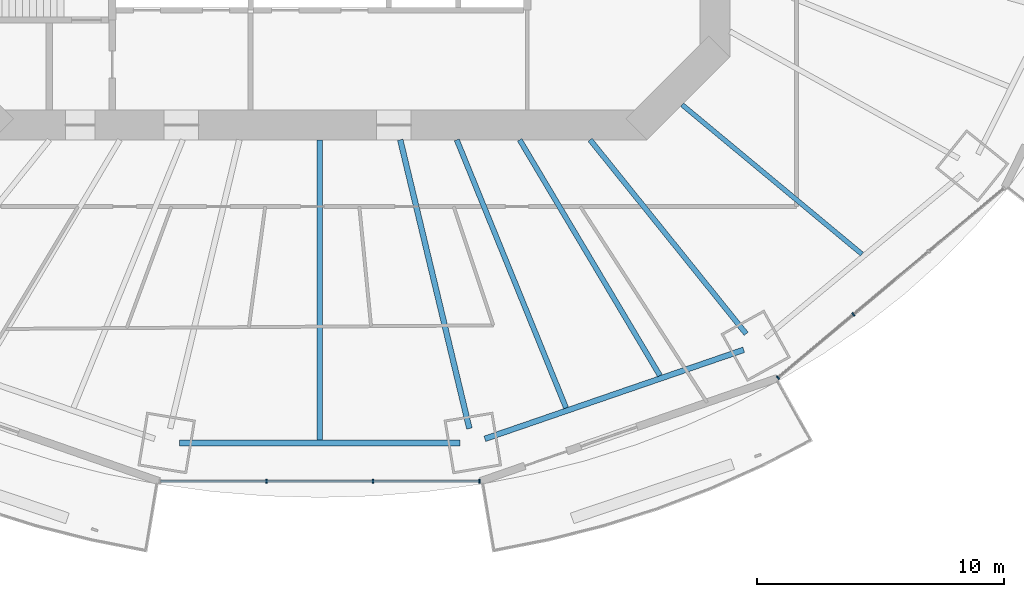
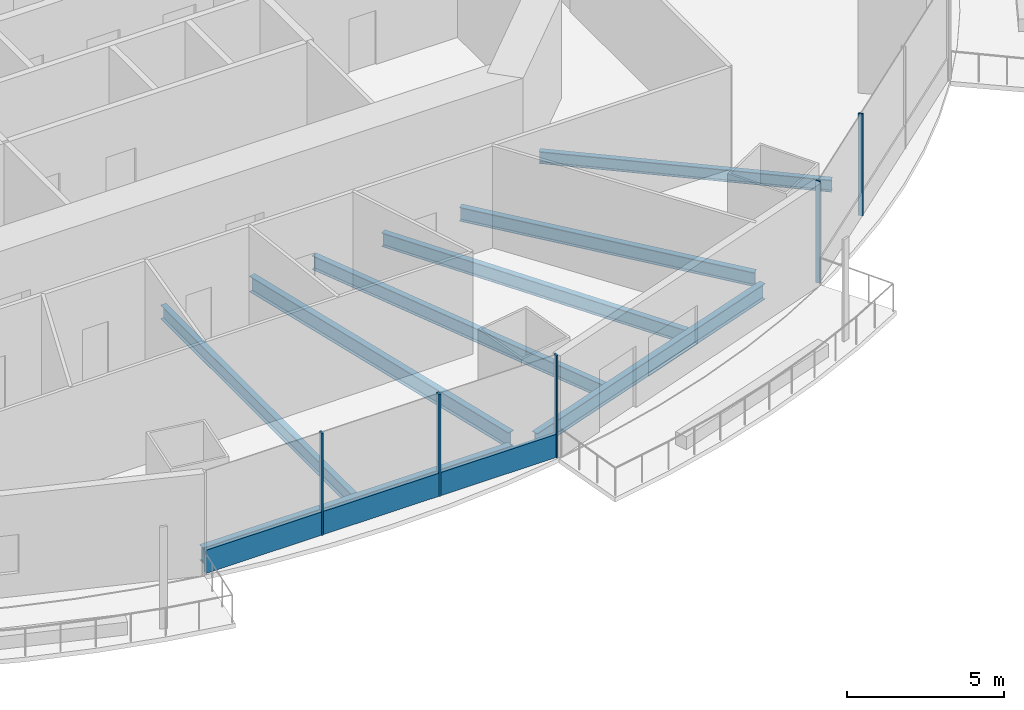
# One storey, part 4 of 20: 8 beams, 6 members, 2 elements without a shape of their own.
"""IFC4 building model written with IfcOpenShell, lengths in metres."""

from ifc_helpers import new_model, si_unit, direction, frame, origin, origin_2d, place, context, subcontext, project, spatial, rectangle, i_section, extrude, material, material_profile, profile_set, type_object, element, aggregate, save


model = new_model("IFC4")

# Units and contexts
model_context = context("Model", 3, precision=1e-05, world=origin(), true_north=direction((0.0, 1.0)))
body_context = subcontext(model_context, "Body", "Model", "MODEL_VIEW")
ifc_project = project(units=[si_unit("LENGTHUNIT", "METRE"), si_unit("AREAUNIT", "SQUARE_METRE"), si_unit("VOLUMEUNIT", "CUBIC_METRE"), si_unit("PLANEANGLEUNIT", "RADIAN"), si_unit("MASSUNIT", "GRAM", prefix="KILO")], contexts=[model_context])

# Site, building, storey
site_placement = place(None, origin())
site = spatial("IfcSite", under=ifc_project, at=site_placement, CompositionType="ELEMENT")
building_placement = place(site_placement, origin())
building = spatial("IfcBuilding", under=site, at=building_placement, Name="Marenthal Gate Tower", CompositionType="ELEMENT")
storey_placement = place(building_placement, frame((0.0, 0.0, 136.75)))
storey = spatial("IfcBuildingStorey", under=building, at=storey_placement, Name="L29", CompositionType="ELEMENT", Elevation=136.75)

# Curtain wall, members
ifc_material_1 = material(Name="Aluminium and glass", Category="aluminium")
curtain_wall_type = type_object("IfcCurtainWallType", Name="Curtain wall typical low", PredefinedType="NOTDEFINED", material=ifc_material_1)
curtain_wall_1_placement = place(storey_placement, origin())
curtain_wall_1 = element("IfcCurtainWall", 1, at=curtain_wall_1_placement, inside=storey, type_object=curtain_wall_type, Name="Curtain wall L29 bay 12", PredefinedType="NOTDEFINED")
ifc_material_2 = material(Name="Aluminium", Category="aluminium")
ifc_material_profile_1 = material_profile(ifc_material_2, rectangle(XDim=0.159912109375, YDim=0.06005859375, at=origin_2d()), Name="60x160 aluminium mullion")
ifc_profile_set_1 = profile_set([ifc_material_profile_1], Name="Aluminium")
member_type_1 = type_object("IfcMemberType", Name="Mullion 60x160 typical low", PredefinedType="MULLION", material=ifc_profile_set_1)
member_1_placement = place(storey_placement, frame((-2.158203125, -27.419921875, 0.0), z_axis=(0.0, 0.0, 1.0), x_axis=(0.0, 1.0, 0.0)))
member_1 = element("IfcMember", 2, at=member_1_placement, type_object=member_type_1, Name="Mullion L29 bay 12.2", PredefinedType="MULLION", context=body_context, shape_type="SweptSolid", body=[
    extrude(rectangle(XDim=0.159912109375, YDim=0.06005859375, at=origin_2d()), origin(), (0.0, 0.0, 1.0), 3.969970703125),
])
member_2_placement = place(storey_placement, frame((2.158203125, -27.419921875, 0.0), z_axis=(0.0, 0.0, 1.0), x_axis=(0.0, 1.0, 0.0)))
member_2 = element("IfcMember", 3, at=member_2_placement, type_object=member_type_1, Name="Mullion L29 bay 12.3", PredefinedType="MULLION", context=body_context, shape_type="SweptSolid", body=[
    extrude(rectangle(XDim=0.159912109375, YDim=0.06005859375, at=origin_2d()), origin(), (0.0, 0.0, 1.0), 3.969970703125),
])
member_3_placement = place(storey_placement, frame((6.474609375, -27.419921875, 0.0), z_axis=(0.0, 0.0, 1.0), x_axis=(0.0, 1.0, 0.0)))
member_3 = element("IfcMember", 4, at=member_3_placement, type_object=member_type_1, Name="Mullion L29 bay 12.4", PredefinedType="MULLION", context=body_context, shape_type="SweptSolid", body=[
    extrude(rectangle(XDim=0.159912109375, YDim=0.06005859375, at=origin_2d()), origin(), (0.0, 0.0, 1.0), 3.969970703125),
])

curtain_wall_2_placement = place(storey_placement, origin())
curtain_wall_2 = element("IfcCurtainWall", 5, at=curtain_wall_2_placement, inside=storey, type_object=curtain_wall_type, Name="Curtain wall L29 bay 14", PredefinedType="NOTDEFINED")
member_4_placement = place(storey_placement, frame((18.546875, -23.22607421875, 0.0), z_axis=(0.0, 0.0, 1.0), x_axis=(-0.642510826857, 0.766276606305, 0.0)))
member_4 = element("IfcMember", 6, at=member_4_placement, type_object=member_type_1, Name="Mullion L29 bay 14.1", PredefinedType="MULLION", context=body_context, shape_type="SweptSolid", body=[
    extrude(rectangle(XDim=0.159912109375, YDim=0.06005859375, at=origin_2d()), origin(), (0.0, 0.0, 1.0), 3.969970703125),
])
member_5_placement = place(storey_placement, frame((21.597900390625, -20.66796875, 0.0), z_axis=(0.0, 0.0, 1.0), x_axis=(-0.642510826857, 0.766276606305, 0.0)))
member_5 = element("IfcMember", 7, at=member_5_placement, type_object=member_type_1, Name="Mullion L29 bay 14.2", PredefinedType="MULLION", context=body_context, shape_type="SweptSolid", body=[
    extrude(rectangle(XDim=0.159912109375, YDim=0.06005859375, at=origin_2d()), origin(), (0.0, 0.0, 1.0), 3.969970703125),
])
aggregate(curtain_wall_2, [member_4, member_5])

# Member
ifc_material_3 = material(Name="Aluminium", Category="aluminium")
ifc_material_profile_2 = material_profile(ifc_material_3, rectangle(XDim=0.1201171875, YDim=0.89990234375, at=origin_2d()), Name="120x900 aluminium transom")
ifc_profile_set_2 = profile_set([ifc_material_profile_2], Name="Aluminium")
member_type_2 = type_object("IfcMemberType", Name="Transom 120x900 typical low", PredefinedType="USERDEFINED", material=ifc_profile_set_2)
member_6_placement = place(storey_placement, frame((-6.444580078125, -27.419921875, 0.449951171875), z_axis=(1.0, 0.0, 0.0), x_axis=(0.0, 1.0, 0.0)))
member_6 = element("IfcMember", 8, at=member_6_placement, type_object=member_type_2, Name="Transom L29 bay 12", ObjectType="TRANSOM", PredefinedType="USERDEFINED", context=body_context, shape_type="SweptSolid", body=[
    extrude(rectangle(XDim=0.1201171875, YDim=0.89990234375, at=origin_2d()), origin(), (0.0, 0.0, 1.0), 12.88916015625),
])

aggregate(curtain_wall_1, [member_1, member_2, member_3, member_6])

# Beams
ifc_material_4 = material(Name="Steel S355", Category="steel")
ifc_material_profile_3 = material_profile(ifc_material_4, i_section(OverallWidth=0.193115234375, OverallDepth=0.467041015625, WebThickness=0.011474609375, FlangeThickness=0.01904296875, FilletRadius=0.010009765625, at=origin_2d()), Name="W460X97")
ifc_profile_set_3 = profile_set([ifc_material_profile_3], Name="Steel S355")
beam_type_1 = type_object("IfcBeamType", Name="W460X97 beam", PredefinedType="BEAM", material=ifc_profile_set_3)
beam_1_placement = place(storey_placement, frame((21.944580078125, -18.22412109375, -0.41357421875), z_axis=(-0.769313903272, 0.638870971506, 0.0), x_axis=(-0.638870971506, -0.769313903272, 0.0)))
element("IfcBeam", 9, at=beam_1_placement, inside=storey, type_object=beam_type_1, Name="BM-L29-37", PredefinedType="BEAM", context=body_context, shape_type="SweptSolid", body=[
    extrude(i_section(OverallWidth=0.193115234375, OverallDepth=0.467041015625, WebThickness=0.011474609375, FlangeThickness=0.01904296875, FilletRadius=0.010009765625, at=origin_2d()), origin(), (0.0, 0.0, 1.0), 9.459228515625),
])
ifc_material_5 = material(Name="Steel S355", Category="steel")
ifc_material_profile_4 = material_profile(ifc_material_5, i_section(OverallWidth=0.2099609375, OverallDepth=0.535888671875, WebThickness=0.010986328125, FlangeThickness=0.017333984375, FilletRadius=0.0126953125, at=origin_2d()), Name="W530X101")
ifc_profile_set_4 = profile_set([ifc_material_profile_4], Name="Steel S355")
beam_type_2 = type_object("IfcBeamType", Name="W530X101 beam", PredefinedType="BEAM", material=ifc_profile_set_4)
beam_2_placement = place(storey_placement, frame((13.769775390625, -23.14404296875, -0.447998046875), z_axis=(-0.511320752803, 0.859389950926, 0.0), x_axis=(-0.859389950926, -0.511320752803, 0.0)))
element("IfcBeam", 10, at=beam_2_placement, inside=storey, type_object=beam_type_2, Name="BM-L29-36", PredefinedType="BEAM", context=body_context, shape_type="SweptSolid", body=[
    extrude(i_section(OverallWidth=0.2099609375, OverallDepth=0.535888671875, WebThickness=0.010986328125, FlangeThickness=0.017333984375, FilletRadius=0.0126953125, at=origin_2d()), origin(), (0.0, 0.0, 1.0), 11.10546875),
])
ifc_material_6 = material(Name="Steel S355", Category="steel")
ifc_material_profile_5 = material_profile(ifc_material_6, i_section(OverallWidth=0.2119140625, OverallDepth=0.5439453125, WebThickness=0.01318359375, FlangeThickness=0.021240234375, FilletRadius=0.0126953125, at=origin_2d()), Name="W530X123")
ifc_profile_set_5 = profile_set([ifc_material_profile_5], Name="Steel S355")
beam_type_3 = type_object("IfcBeamType", Name="W530X123 beam", PredefinedType="BEAM", material=ifc_profile_set_5)
beam_3_placement = place(storey_placement, frame((17.259521484375, -21.45166015625, -0.451904296875), z_axis=(-0.6268641657, 0.77912856305, 0.0), x_axis=(-0.77912856305, -0.6268641657, 0.0)))
element("IfcBeam", 11, at=beam_3_placement, inside=storey, type_object=beam_type_3, Name="BM-L29-14", PredefinedType="BEAM", context=body_context, shape_type="SweptSolid", body=[
    extrude(i_section(OverallWidth=0.2119140625, OverallDepth=0.5439453125, WebThickness=0.01318359375, FlangeThickness=0.021240234375, FilletRadius=0.0126953125, at=origin_2d()), origin(), (0.0, 0.0, 1.0), 10.077392578125),
])
beam_4_placement = place(storey_placement, frame((0.0, -25.755615234375, -0.451904296875), z_axis=(0.0, 1.0, 0.0), x_axis=(-1.0, 0.0, 0.0)))
element("IfcBeam", 12, at=beam_4_placement, inside=storey, type_object=beam_type_3, Name="BM-L29-34", PredefinedType="BEAM", context=body_context, shape_type="SweptSolid", body=[
    extrude(i_section(OverallWidth=0.2119140625, OverallDepth=0.5439453125, WebThickness=0.01318359375, FlangeThickness=0.021240234375, FilletRadius=0.0126953125, at=origin_2d()), origin(), (0.0, 0.0, 1.0), 12.155517578125),
])
beam_5_placement = place(storey_placement, frame((9.9697265625, -24.451171875, -0.451904296875), z_axis=(-0.377553645664, 0.92598771301, 0.0), x_axis=(-0.92598771301, -0.377553645664, 0.0)))
element("IfcBeam", 13, at=beam_5_placement, inside=storey, type_object=beam_type_3, Name="BM-L29-35", PredefinedType="BEAM", context=body_context, shape_type="SweptSolid", body=[
    extrude(i_section(OverallWidth=0.2119140625, OverallDepth=0.5439453125, WebThickness=0.01318359375, FlangeThickness=0.021240234375, FilletRadius=0.0126953125, at=origin_2d()), origin(), (0.0, 0.0, 1.0), 11.71826171875),
])
ifc_material_7 = material(Name="Steel S355", Category="steel")
ifc_material_profile_6 = material_profile(ifc_material_7, i_section(OverallWidth=0.22900390625, OverallDepth=0.612060546875, WebThickness=0.011962890625, FlangeThickness=0.01953125, FilletRadius=0.0126953125, at=origin_2d()), Name="W610X125")
ifc_profile_set_6 = profile_set([ifc_material_profile_6], Name="Steel S355")
beam_type_4 = type_object("IfcBeamType", Name="W610X125 beam", PredefinedType="BEAM", material=ifc_profile_set_6)
beam_6_placement = place(storey_placement, frame((6.05615234375, -25.283935546875, -0.486083984375), z_axis=(-0.232937154271, 0.972491790279, 0.0), x_axis=(-0.972491790279, -0.232937154271, 0.0)))
element("IfcBeam", 14, at=beam_6_placement, inside=storey, type_object=beam_type_4, Name="BM-L29-13", PredefinedType="BEAM", context=body_context, shape_type="SweptSolid", body=[
    extrude(i_section(OverallWidth=0.22900390625, OverallDepth=0.612060546875, WebThickness=0.011962890625, FlangeThickness=0.01953125, FilletRadius=0.0126953125, at=origin_2d()), origin(), (0.0, 0.0, 1.0), 12.014404296875),
])
beam_7_placement = place(storey_placement, frame((-5.682861328125, -25.8701171875, -0.486083984375), z_axis=(1.0, 0.0, 0.0), x_axis=(0.0, 1.0, 0.0)))
element("IfcBeam", 15, at=beam_7_placement, inside=storey, type_object=beam_type_4, Name="BM-L29-52", PredefinedType="BEAM", context=body_context, shape_type="SweptSolid", body=[
    extrude(i_section(OverallWidth=0.22900390625, OverallDepth=0.612060546875, WebThickness=0.011962890625, FlangeThickness=0.01953125, FilletRadius=0.0126953125, at=origin_2d()), origin(), (0.0, 0.0, 1.0), 11.36572265625),
])
beam_8_placement = place(storey_placement, frame((6.682861328125, -25.702880859375, -0.486083984375), z_axis=(0.945616285836, 0.325284244871, 0.0), x_axis=(-0.325284244871, 0.945616285836, 0.0)))
element("IfcBeam", 16, at=beam_8_placement, inside=storey, type_object=beam_type_4, Name="BM-L29-53", PredefinedType="BEAM", context=body_context, shape_type="SweptSolid", body=[
    extrude(i_section(OverallWidth=0.22900390625, OverallDepth=0.612060546875, WebThickness=0.011962890625, FlangeThickness=0.01953125, FilletRadius=0.0126953125, at=origin_2d()), origin(), (0.0, 0.0, 1.0), 11.078125),
])

save(model, "model.ifc")
